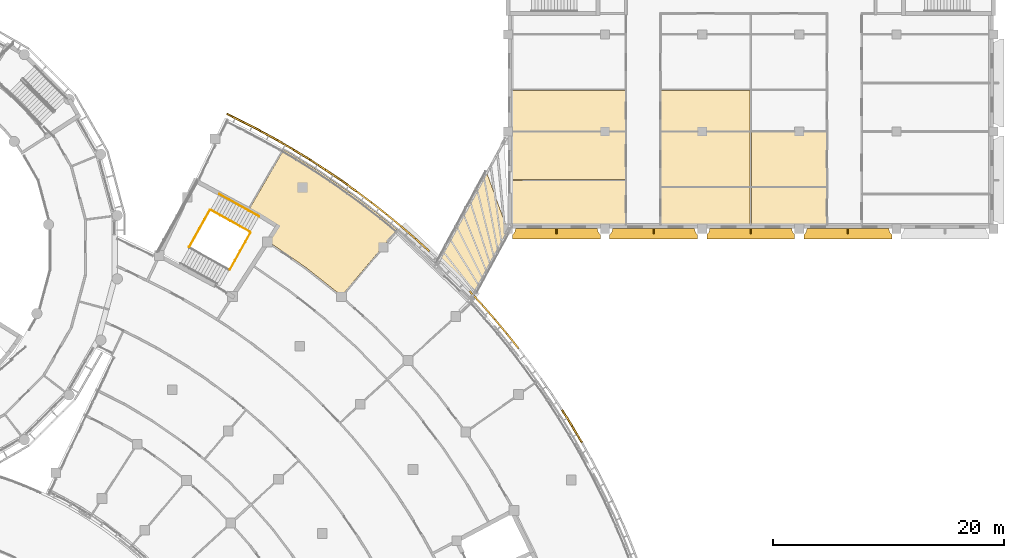
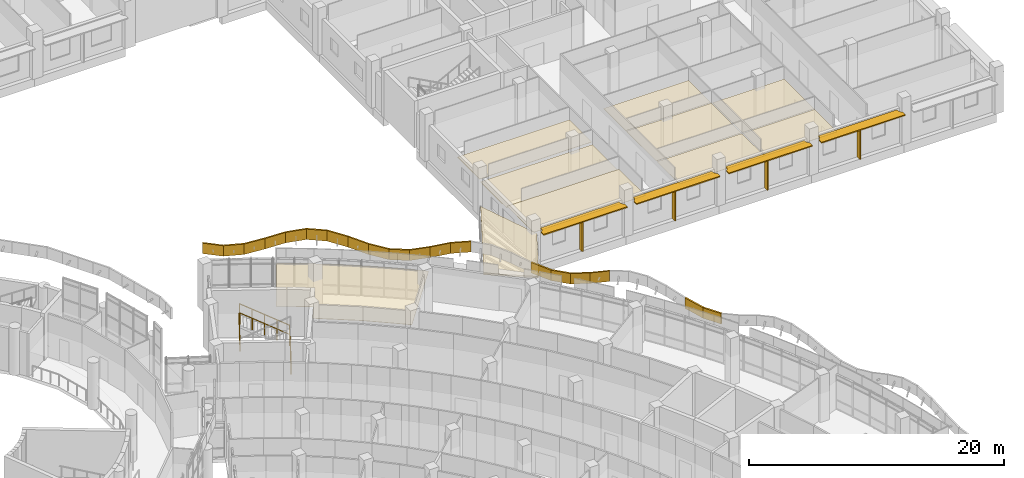
# One storey, part 127 of 136: 29 coverings, 8 shading devices, 4 railings.
"""IFC4 building model written with IfcOpenShell, lengths in metres."""

import ifcopenshell
import ifcopenshell.guid

model = None  # the IFC model being written
_history = None  # IfcOwnerHistory: only IFC2X3 demands one
_inside = {}  # id of a spatial element -> (the spatial element, [elements in it])
_under = {}  # id of a project, library or spatial element -> (it, [spatial elements below it])
_declared = {}  # id of a project -> (the project, [libraries it declares])
_typed = {}  # id of a type object -> (the type object, [elements of that type])
_made_of = {}  # id of a material, layer set ... -> (it, [elements and type objects made of it])


def new_model(schema):
    """Start an empty IFC model of exactly this schema.

    Asked for "IFC4X3", IfcOpenShell would pick the latest addendum, in which some entities
    have other attributes; the version numbers below select the first issue.
    IFC2X3 requires an IfcOwnerHistory on every rooted entity: one is made here for all.
    """
    global model, _history
    if schema == "IFC4X3":
        model = ifcopenshell.file(schema_version=(4, 3, 0, 0))
    else:
        model = ifcopenshell.file(schema=schema)
    _inside.clear()
    _under.clear()
    _declared.clear()
    _typed.clear()
    _made_of.clear()
    _history = None
    if model.schema == "IFC2X3":
        org = make("IfcOrganization", Name="unknown")
        user = make(
            "IfcPersonAndOrganization",
            ThePerson=make("IfcPerson", FamilyName="unknown"),
            TheOrganization=org,
        )
        app = make(
            "IfcApplication",
            ApplicationDeveloper=org,
            Version="unknown",
            ApplicationFullName="unknown",
            ApplicationIdentifier="unknown",
        )
        _history = make(
            "IfcOwnerHistory",
            OwningUser=user,
            OwningApplication=app,
            ChangeAction="ADDED",
            CreationDate=0,
        )
    return model


def make(cls, **values):
    """One entity of the class cls with the attributes given. An attribute that is None is left unset."""
    return model.create_entity(
        cls, **{name: value for name, value in values.items() if value is not None}
    )


def rooted(cls, **values):
    """An entity with a GlobalId (a new one), such as an element, a storey or a relation."""
    return make(cls, GlobalId=ifcopenshell.guid.new(), OwnerHistory=_history, **values)


def si_unit(unit_type, name, prefix=None):
    """IfcSIUnit, for example si_unit("LENGTHUNIT", "METRE", prefix="MILLI")."""
    return make("IfcSIUnit", UnitType=unit_type, Prefix=prefix, Name=name)


def assignment(units):
    """IfcUnitAssignment: the units of a project."""
    return None if units is None else make("IfcUnitAssignment", Units=units)


def point(xyz):
    """IfcCartesianPoint."""
    return None if xyz is None else make("IfcCartesianPoint", Coordinates=xyz)


def direction(xyz):
    """IfcDirection."""
    return None if xyz is None else make("IfcDirection", DirectionRatios=xyz)


def frame(location, z_axis=None, x_axis=None):
    """IfcAxis2Placement3D, a coordinate frame: its origin and axes. An axis left out is left unset."""
    return make(
        "IfcAxis2Placement3D",
        Location=point(location),
        Axis=direction(z_axis),
        RefDirection=direction(x_axis),
    )


def frame_2d(location, x_axis=None):
    """IfcAxis2Placement2D, a coordinate frame in the plane: its origin and x axis."""
    return make(
        "IfcAxis2Placement2D", Location=point(location), RefDirection=direction(x_axis)
    )


def origin():
    """The frame at (0, 0, 0) with its axes left unset."""
    return frame((0.0, 0.0, 0.0))


def origin_2d():
    """The frame at (0, 0) in the plane with its x axis left unset."""
    return frame_2d((0.0, 0.0))


def place(relative_to, where):
    """IfcLocalPlacement: puts the frame where relative to a parent placement (None: the world)."""
    return make(
        "IfcLocalPlacement", PlacementRelTo=relative_to, RelativePlacement=where
    )


def context(
    kind, dimensions, precision=None, world=None, true_north=None, identifier=None
):
    """IfcGeometricRepresentationContext, for example the 3D "Model" context."""
    return make(
        "IfcGeometricRepresentationContext",
        ContextIdentifier=identifier,
        ContextType=kind,
        CoordinateSpaceDimension=dimensions,
        Precision=precision,
        WorldCoordinateSystem=world,
        TrueNorth=true_north,
    )


def subcontext(parent, identifier, kind, view, scale=None):
    """IfcGeometricRepresentationSubContext, for example "Body" below "Model"."""
    return make(
        "IfcGeometricRepresentationSubContext",
        ContextIdentifier=identifier,
        ContextType=kind,
        ParentContext=parent,
        TargetScale=scale,
        TargetView=view,
    )


def project(units=None, contexts=None):
    """IfcProject with its units and contexts."""
    return rooted(
        "IfcProject",
        Name="project",
        RepresentationContexts=contexts,
        UnitsInContext=assignment(units),
    )


def spatial(cls, under=None, at=None, **own):
    """A site, building, storey or space (cls), placed at a placement, below another one or the project."""
    s = rooted(cls, ObjectPlacement=at, **own)
    if under is not None:
        _under.setdefault(under.id(), (under, []))[1].append(s)
    return s


def polyline(points):
    """IfcPolyline through the points."""
    return make("IfcPolyline", Points=[point(p) for p in points])


def profile(cls, at=None, kind="AREA", **sizes):
    """A parametric profile (cls). Its sizes go by their IFC names, for example OverallWidth=200.0."""
    return make(cls, ProfileType=kind, Position=at, **sizes)


def rectangle(**sizes):
    """IfcRectangleProfileDef."""
    return profile("IfcRectangleProfileDef", **sizes)


def circle(**sizes):
    """IfcCircleProfileDef."""
    return profile("IfcCircleProfileDef", **sizes)


def outline(outer, holes=None, kind="AREA"):
    """IfcArbitraryClosedProfileDef: a profile drawn as a closed curve; with holes, ...WithVoids."""
    if holes is None:
        return make("IfcArbitraryClosedProfileDef", ProfileType=kind, OuterCurve=outer)
    return make(
        "IfcArbitraryProfileDefWithVoids",
        ProfileType=kind,
        OuterCurve=outer,
        InnerCurves=holes,
    )


def extrude(swept, where, along, depth):
    """IfcExtrudedAreaSolid: the profile swept, set in the frame where, extruded along a direction by depth."""
    return make(
        "IfcExtrudedAreaSolid",
        SweptArea=swept,
        Position=where,
        ExtrudedDirection=direction(along),
        Depth=depth,
    )


def shape(context_of_items, identifier, shape_type, items):
    """IfcShapeRepresentation: the items that make up one representation, for example the "Body"."""
    return make(
        "IfcShapeRepresentation",
        ContextOfItems=context_of_items,
        RepresentationIdentifier=identifier,
        RepresentationType=shape_type,
        Items=items,
    )


def material(Name=None, Category=None):
    """IfcMaterial."""
    return make("IfcMaterial", Name=Name, Category=Category)


def layer(
    of_material, thickness, ventilated=None, Name=None, Category=None, Priority=None
):
    """IfcMaterialLayer: one layer of a wall or slab, of a material (None: an air gap)."""
    return make(
        "IfcMaterialLayer",
        Material=of_material,
        LayerThickness=thickness,
        IsVentilated=ventilated,
        Name=Name,
        Category=Category,
        Priority=Priority,
    )


def layer_set(layers, Name=None):
    """IfcMaterialLayerSet."""
    return make("IfcMaterialLayerSet", MaterialLayers=layers, LayerSetName=Name)


def material_profile(
    of_material, cross_section, Name=None, Category=None, Priority=None
):
    """IfcMaterialProfile: a cross section and its material."""
    return make(
        "IfcMaterialProfile",
        Name=Name,
        Material=of_material,
        Profile=cross_section,
        Priority=Priority,
        Category=Category,
    )


def profile_set(profiles, Name=None, composite=None):
    """IfcMaterialProfileSet."""
    return make(
        "IfcMaterialProfileSet",
        Name=Name,
        MaterialProfiles=profiles,
        CompositeProfile=composite,
    )


def made_of(thing, what):
    """Note that an element or type object is made of a material, layer set ...; save() writes the relation."""
    if what is not None:
        _made_of.setdefault(what.id(), (what, []))[1].append(thing)
    return thing


def type_object(cls, material=None, **own):
    """A type object (cls), such as IfcWallType, which elements share."""
    return made_of(rooted(cls, **own), material)


def element(
    cls,
    number,
    at=None,
    inside=None,
    cuts=None,
    type_object=None,
    material=None,
    context=None,
    identifier="Body",
    shape_type=None,
    held_by="IfcProductDefinitionShape",
    body=None,
    shapes=None,
    **own,
):
    """One element of the class cls, such as IfcWall. Its Tag is "e" and its number.

    at: its placement. inside: the storey or other place that contains it. cuts: it is an
    opening in that element (IfcRelVoidsElement). A single representation is given by context,
    identifier, shape_type and body (its items); several are given by shapes. held_by: the class
    of the entity that holds the representations. save() writes the other relations.
    """
    e = rooted(cls, Tag="e%d" % number, ObjectPlacement=at, **own)
    if body is not None:
        shapes = [shape(context, identifier, shape_type, body)]
    if shapes is not None:
        e.Representation = make(held_by, Representations=shapes)
    if inside is not None:
        _inside.setdefault(inside.id(), (inside, []))[1].append(e)
    if cuts is not None:
        rooted(
            "IfcRelVoidsElement", RelatingBuildingElement=cuts, RelatedOpeningElement=e
        )
    if type_object is not None:
        _typed.setdefault(type_object.id(), (type_object, []))[1].append(e)
    return made_of(e, material)


def aggregate(whole, parts):
    """IfcRelAggregates: a whole, such as a stair, and the parts it consists of."""
    return rooted("IfcRelAggregates", RelatingObject=whole, RelatedObjects=parts)


def save(model, path):
    """Write the relations noted so far, then the file.

    IfcRelAggregates (storeys below a building ...), IfcRelContainedInSpatialStructure (elements
    in a storey), IfcRelDefinesByType, IfcRelAssociatesMaterial and IfcRelDeclares: one each for
    every whole, place, type object, material and project.
    """
    for whole, parts in _under.values():
        aggregate(whole, parts)
    for where, things in _inside.values():
        rooted(
            "IfcRelContainedInSpatialStructure",
            RelatedElements=things,
            RelatingStructure=where,
        )
    for kind, things in _typed.values():
        rooted("IfcRelDefinesByType", RelatedObjects=things, RelatingType=kind)
    for what, things in _made_of.values():
        rooted("IfcRelAssociatesMaterial", RelatedObjects=things, RelatingMaterial=what)
    for by, libraries in _declared.values():
        rooted("IfcRelDeclares", RelatingContext=by, RelatedDefinitions=libraries)
    model.write(path)


model = new_model("IFC4")

# Units and contexts
model_context = context("Model", 3, precision=1e-05, world=origin(), true_north=direction((0.0, 1.0)))
body_context = subcontext(model_context, "Body", "Model", "MODEL_VIEW")
ifc_project = project(units=[si_unit("LENGTHUNIT", "METRE"), si_unit("AREAUNIT", "SQUARE_METRE"), si_unit("VOLUMEUNIT", "CUBIC_METRE"), si_unit("PLANEANGLEUNIT", "RADIAN"), si_unit("MASSUNIT", "GRAM", prefix="KILO")], contexts=[model_context])

# Site, building, storey
site_placement = place(None, origin())
site = spatial("IfcSite", under=ifc_project, at=site_placement, CompositionType="ELEMENT")
building_placement = place(site_placement, origin())
building = spatial("IfcBuilding", under=site, at=building_placement, Name="Bougainvillea Quay General Hospital", CompositionType="ELEMENT")
storey_placement = place(building_placement, frame((0.0, 0.0, 5.39990234375)))
storey = spatial("IfcBuildingStorey", under=building, at=storey_placement, Name="L01", CompositionType="ELEMENT", Elevation=5.39990234375)

# Coverings
ifc_material_1 = material(Name="Powder-coated aluminium fascia, yellow", Category="aluminium")
ifc_layer_1 = layer(ifc_material_1, 0.14990234375)
ifc_layer_set_1 = layer_set([ifc_layer_1], Name="Powder-coated aluminium fascia, yellow")
covering_type_1 = type_object("IfcCoveringType", Name="Aluminium wave fascia ribbon yellow 150x1000", PredefinedType="CLADDING", material=ifc_layer_set_1)
covering_1_placement = place(storey_placement, frame((170.123779296875, 57.07763671875, 3.260009765625), z_axis=(-0.000151975585, 0.000257507431, 0.999999955297), x_axis=(-0.508961194753, 0.860789412591, -0.000299009359)))
element("IfcCovering", 1, at=covering_1_placement, inside=storey, type_object=covering_type_1, Name="Fascia ribbon yellow a23 19", PredefinedType="CLADDING", context=body_context, shape_type="SweptSolid", body=[
    extrude(outline(polyline([(0.0, 0.0), (1.6314058404780067, 1.09211941591327e-16), (1.6328749432035081, -0.15005491172600183), (-0.0017123943208303405, -0.1501591482411095), (0.0, 0.0)])), origin(), (-0.000299009359, 2.42315e-07, 0.999999955297), 1.0),
])
covering_2_placement = place(storey_placement, frame((169.29345703125, 58.48193359375, 3.259765625), z_axis=(0.132980914674, -0.213916910508, 0.967758044002), x_axis=(-0.511725446805, 0.82139683151, 0.251881544138)))
element("IfcCovering", 2, at=covering_2_placement, inside=storey, type_object=covering_type_1, Name="Fascia ribbon yellow a23 20", PredefinedType="CLADDING", context=body_context, shape_type="SweptSolid", body=[
    extrude(outline(polyline([(0.0, 0.0), (1.6855687110136695, -1.1496608786493168e-16), (1.6873539485314895, -0.1500691591442192), (-0.002067176681550967, -0.15004865872445958), (0.0, 0.0)])), origin(), (0.251881544138, -0.000236624644, 0.967758044002), 1.0),
])
covering_3_placement = place(storey_placement, frame((164.666259765625, 65.193359375, 4.3388671875), z_axis=(-0.216139110066, 0.272385486665, 0.937598011812), x_axis=(-0.5846513216, 0.732989454891, -0.347720133397)))
element("IfcCovering", 3, at=covering_3_placement, inside=storey, type_object=covering_type_1, Name="Fascia ribbon yellow a23 25", PredefinedType="CLADDING", context=body_context, shape_type="SweptSolid", body=[
    extrude(outline(polyline([(0.0, 0.0), (1.739675737119207, -5.5294310796760726e-18), (1.7416000606718183, -0.1500708024444432), (-0.0019322037960413342, -0.1499618351801813), (0.0, 0.0)])), origin(), (-0.347720133397, 0.000822846295, 0.937598011812), 1.0),
])
covering_4_placement = place(storey_placement, frame((163.649169921875, 66.468505859375, 3.7333984375), z_axis=(-0.171388164586, 0.204840353872, 0.96367345427), x_axis=(-0.618232745883, 0.739225812231, -0.267083265013)))
element("IfcCovering", 4, at=covering_4_placement, inside=storey, type_object=covering_type_1, Name="Fascia ribbon yellow a23 26", PredefinedType="CLADDING", context=body_context, shape_type="SweptSolid", body=[
    extrude(outline(polyline([(0.0, 0.0), (1.692937866674427, -9.952975943416931e-17), (1.6947713137191023, -0.15010908492560268), (-0.0017710235870473912, -0.1500717104884349), (0.0, 0.0)])), origin(), (-0.267083265013, -5.5540731e-05, 0.96367345427), 1.0),
])
covering_5_placement = place(storey_placement, frame((162.6025390625, 67.719970703125, 3.281005859375), z_axis=(-0.015291085418, 0.018696249736, 0.999708273924), x_axis=(-0.658916314201, 0.751828837659, -0.024138967318)))
element("IfcCovering", 5, at=covering_5_placement, inside=storey, type_object=covering_type_1, Name="Fascia ribbon yellow a23 27", PredefinedType="CLADDING", context=body_context, shape_type="SweptSolid", body=[
    extrude(outline(polyline([(0.0, 0.0), (1.6317611647262957, 1.7462431240594656e-16), (1.6333457083062515, -0.15006662363037118), (-0.0017046835127499382, -0.15010978582599926), (0.0, 0.0)])), origin(), (-0.024138967318, 0.000822984989, 0.999708273924), 1.0),
])
covering_6_placement = place(storey_placement, frame((161.52734375, 68.94677734375, 3.24169921875), z_axis=(0.159394586792, -0.173780379823, 0.971799230958), x_axis=(-0.657307308396, 0.715779900547, 0.235809745988)))
element("IfcCovering", 6, at=covering_6_placement, inside=storey, type_object=covering_type_1, Name="Fascia ribbon yellow a23 28", PredefinedType="CLADDING", context=body_context, shape_type="SweptSolid", body=[
    extrude(outline(polyline([(0.0, 0.0), (1.6785175842829891, 6.763388677236137e-17), (1.6802523190766614, -0.15008094954440912), (-0.0019074213298497776, -0.15006276849571804), (0.0, 0.0)])), origin(), (0.235809745988, -0.000135672232, 0.971799230958), 1.0),
])
covering_7_placement = place(storey_placement, frame((156.950927734375, 73.5947265625, 4.76611328125), z_axis=(-0.168622660468, 0.152352052879, 0.973835330208), x_axis=(-0.722416786224, 0.653046124371, -0.227254805065)))
element("IfcCovering", 7, at=covering_7_placement, inside=storey, type_object=covering_type_1, Name="Fascia ribbon yellow a23 32", PredefinedType="CLADDING", context=body_context, shape_type="SweptSolid", body=[
    extrude(outline(polyline([(0.0, 0.0), (1.67519773772399, -5.5321415851072864e-17), (1.677025164714165, -0.1501252158691253), (-0.0017525652769673722, -0.1499513132876918), (0.0, 0.0)])), origin(), (-0.227254805065, -5.6694484e-05, 0.973835330208), 1.0),
])
covering_8_placement = place(storey_placement, frame((155.74072265625, 74.688720703125, 4.385009765625), z_axis=(-0.261606146509, 0.226646532726, 0.938186321213), x_axis=(-0.710268435002, 0.612954090519, -0.346130081266)))
element("IfcCovering", 8, at=covering_8_placement, inside=storey, type_object=covering_type_1, Name="Fascia ribbon yellow a23 33", PredefinedType="CLADDING", context=body_context, shape_type="SweptSolid", body=[
    extrude(outline(polyline([(0.0, 0.0), (1.7385969237478893, -2.802662615875029e-17), (1.7405159941890311, -0.1500349321044714), (-0.0017577337595446395, -0.15012606882379248), (0.0, 0.0)])), origin(), (-0.346130081266, 0.00062732049, 0.938186321213), 1.0),
])
covering_9_placement = place(storey_placement, frame((154.505859375, 75.75439453125, 3.78271484375), z_axis=(-0.216806200029, 0.178425334271, 0.959770530762), x_axis=(-0.740987823073, 0.609997147034, -0.280785552811)))
element("IfcCovering", 9, at=covering_9_placement, inside=storey, type_object=covering_type_1, Name="Fascia ribbon yellow a23 34", PredefinedType="CLADDING", context=body_context, shape_type="SweptSolid", body=[
    extrude(outline(polyline([(0.0, 0.0), (1.699792436141207, -1.4101404505889592e-17), (1.7016161404018555, -0.1500251977254522), (-0.0017807836759619834, -0.15003564540311576), (0.0, 0.0)])), origin(), (-0.280785552811, -4.0163455e-05, 0.959770530762), 1.0),
])
covering_10_placement = place(storey_placement, frame((153.246337890625, 76.791259765625, 3.30517578125), z_axis=(-0.037692469391, 0.029615511664, 0.998850438865), x_axis=(-0.785684072405, 0.616767977466, -0.047935376727)))
element("IfcCovering", 10, at=covering_10_placement, inside=storey, type_object=covering_type_1, Name="Fascia ribbon yellow a23 35", PredefinedType="CLADDING", context=body_context, shape_type="SweptSolid", body=[
    extrude(outline(polyline([(0.0, 0.0), (1.6332342323031108, -2.2175322559117583e-17), (1.6348260687158094, -0.14990361243325626), (-0.0017227799486738693, -0.15002557607740974), (0.0, 0.0)])), origin(), (-0.047935376727, 2.0927699e-05, 0.998850438865), 1.0),
])
covering_11_placement = place(storey_placement, frame((151.963134765625, 77.798583984375, 3.22705078125), z_axis=(0.174943372705, -0.130985068475, 0.975826689624), x_axis=(-0.781396860666, 0.584514057357, 0.218545791298)))
element("IfcCovering", 11, at=covering_11_placement, inside=storey, type_object=covering_type_1, Name="Fascia ribbon yellow a23 36", PredefinedType="CLADDING", context=body_context, shape_type="SweptSolid", body=[
    extrude(outline(polyline([(0.0, 0.0), (1.67154369284308, 1.555288016430456e-16), (1.673372403895482, -0.14990468895421766), (-0.0019582938327033987, -0.14990006994717217), (0.0, 0.0)])), origin(), (0.218545791298, -9.4460713e-05, 0.975826689624), 1.0),
])
covering_12_placement = place(storey_placement, frame((150.656982421875, 78.775634765625, 3.5927734375), z_axis=(0.28122867618, -0.199577387873, 0.938658243422), x_axis=(-0.764424758284, 0.544733409339, 0.344848229909)))
element("IfcCovering", 12, at=covering_12_placement, inside=storey, type_object=covering_type_1, Name="Fascia ribbon yellow a23 37", PredefinedType="CLADDING", context=body_context, shape_type="SweptSolid", body=[
    extrude(outline(polyline([(0.0, 0.0), (1.7380561768623728, -2.3201926491189795e-16), (1.7397461779876426, -0.14993754567441014), (-0.0018477871475299423, -0.14990546849038133), (0.0, 0.0)])), origin(), (0.344848229909, 0.000632759096, 0.938658243422), 1.0),
])
covering_13_placement = place(storey_placement, frame((149.328369140625, 79.722412109375, 4.192626953125), z_axis=(0.237533645061, -0.161317140839, 0.957890676192), x_axis=(-0.792797830904, 0.53761155433, 0.287133097997)))
element("IfcCovering", 13, at=covering_13_placement, inside=storey, type_object=covering_type_1, Name="Fascia ribbon yellow a23 38", PredefinedType="CLADDING", context=body_context, shape_type="SweptSolid", body=[
    extrude(outline(polyline([(0.0, 0.0), (1.7029645822565076, -8.069174668723367e-17), (1.7046913687155685, -0.14990690638884596), (-0.0019262894192280068, -0.14993469141472437), (0.0, 0.0)])), origin(), (0.287133097997, -0.000191047218, 0.957890676192), 1.0),
])
covering_14_placement = place(storey_placement, frame((147.978271484375, 80.637939453125, 4.681884765625), z_axis=(0.050284129146, -0.032450804275, 0.998207619515), x_axis=(-0.838898080382, 0.540988412796, 0.059846035379)))
element("IfcCovering", 14, at=covering_14_placement, inside=storey, type_object=covering_type_1, Name="Fascia ribbon yellow a23 39", PredefinedType="CLADDING", context=body_context, shape_type="SweptSolid", body=[
    extrude(outline(polyline([(0.0, 0.0), (1.6340991646081826, 1.8049255666452435e-16), (1.635821368808492, -0.14995877928234225), (-0.0018213447102664406, -0.1499051318280448), (0.0, 0.0)])), origin(), (0.059846035379, -1.9786197e-05, 0.998207619515), 1.0),
])
covering_15_placement = place(storey_placement, frame((146.607421875, 81.52197265625, 4.779541015625), z_axis=(-0.178616486233, 0.109419641376, 0.97781567431), x_axis=(-0.833943340754, 0.510550683663, -0.209467190325)))
element("IfcCovering", 15, at=covering_15_placement, inside=storey, type_object=covering_type_1, Name="Fascia ribbon yellow a23 40", PredefinedType="CLADDING", context=body_context, shape_type="SweptSolid", body=[
    extrude(outline(polyline([(0.0, 0.0), (1.66843541279416, 5.692061405548898e-19), (1.6701659000565987, -0.15009377183485434), (-0.0018121543242329424, -0.14995772693674936), (0.0, 0.0)])), origin(), (-0.209467190325, 5.7012113e-05, 0.97781567431), 1.0),
])
covering_16_placement = place(storey_placement, frame((145.216064453125, 82.373779296875, 4.429443359375), z_axis=(-0.296832947633, 0.172291560385, 0.939258121828), x_axis=(-0.812161563546, 0.471804438476, -0.343211547786)))
element("IfcCovering", 16, at=covering_16_placement, inside=storey, type_object=covering_type_1, Name="Fascia ribbon yellow a23 41", PredefinedType="CLADDING", context=body_context, shape_type="SweptSolid", body=[
    extrude(outline(polyline([(0.0, 0.0), (1.7365753018245809, -5.654114329511906e-17), (1.738570471999721, -0.14997690608146724), (-0.0018915487413977109, -0.15009345688312226), (0.0, 0.0)])), origin(), (-0.343211547786, -0.000118519111, 0.939258121828), 1.0),
])
covering_17_placement = place(storey_placement, frame((143.8056640625, 83.193115234375, 3.832763671875), z_axis=(-0.256850514406, 0.141315524654, 0.956063667201), x_axis=(-0.837579199119, 0.460997638744, -0.293159107441)))
element("IfcCovering", 17, at=covering_17_placement, inside=storey, type_object=covering_type_1, Name="Fascia ribbon yellow a23 42", PredefinedType="CLADDING", context=body_context, shape_type="SweptSolid", body=[
    extrude(outline(polyline([(0.0, 0.0), (1.7063491295953366, -1.8090590874278445e-16), (1.7080796161750742, -0.14985039649915474), (-0.001684936430920582, -0.1499797343436596), (0.0, 0.0)])), origin(), (-0.293159107441, -4.4536688e-05, 0.956063667201), 1.0),
])
covering_18_placement = place(storey_placement, frame((142.37646484375, 83.979736328125, 3.332275390625), z_axis=(-0.063498658071, 0.033030953327, 0.997435149043), x_axis=(-0.884821425063, 0.460399741924, -0.071575997277)))
element("IfcCovering", 18, at=covering_18_placement, inside=storey, type_object=covering_type_1, Name="Fascia ribbon yellow a23 43", PredefinedType="CLADDING", context=body_context, shape_type="SweptSolid", body=[
    extrude(outline(polyline([(0.0, 0.0), (1.6353920578939534, 2.913793338554793e-17), (1.6372631329853176, -0.15011590759015234), (-0.001836414279048279, -0.1498482817732869), (0.0, 0.0)])), origin(), (-0.071575997277, -8.270595e-06, 0.997435149043), 1.0),
])
covering_19_placement = place(storey_placement, frame((140.929443359375, 84.732666015625, 3.21533203125), z_axis=(0.179636675727, -0.087710243775, 0.979815073302), x_axis=(-0.879350626539, 0.432180877655, 0.19990538911)))
element("IfcCovering", 19, at=covering_19_placement, inside=storey, type_object=covering_type_1, Name="Fascia ribbon yellow a23 44", PredefinedType="CLADDING", context=body_context, shape_type="SweptSolid", body=[
    extrude(outline(polyline([(0.0, 0.0), (1.661364609272699, -8.109832250191573e-17), (1.6613225301213457, -0.1499114580986823), (-0.0016388262931409702, -0.15011945097289547), (0.0, 0.0)])), origin(), (0.19990538911, 0.000507478358, 0.979815073302), 1.0),
])
ifc_material_2 = material(Name="Insulated aluminium roof panel, grey", Category="aluminium")
ifc_layer_2 = layer(ifc_material_2, 0.14990234375)
ifc_layer_set_2 = layer_set([ifc_layer_2], Name="Insulated aluminium roof panel, grey")
covering_type_2 = type_object("IfcCoveringType", Name="Bridge roof insulated metal panel 150", PredefinedType="ROOFING", material=ifc_layer_set_2)
covering_20_placement = place(storey_placement, frame((0.0, 0.0, 3.0)))
element("IfcCovering", 20, at=covering_20_placement, inside=storey, type_object=covering_type_2, Name="Bridge roof B3", PredefinedType="ROOFING", context=body_context, shape_type="SweptSolid", body=[
    extrude(outline(polyline([(157.527587890625, 72.571533203125), (161.901611328125, 80.63037109375), (163.86962890625, 75.199951171875), (161.051513671875, 70.007568359375), (157.527587890625, 72.571533203125)])), origin(), (0.0, 0.0, 1.0), 0.150146484375),
])

# Railings
ifc_material_3 = material(Name="Stainless steel 304 balustrade", Category="steel")
railing_type_1 = type_object("IfcRailingType", Name="Stair guard 1100", PredefinedType="GUARDRAIL", material=ifc_material_3)
railing_1_placement = place(storey_placement, frame((141.514404296875, 75.31591796875, 0.150146484375)))
element("IfcRailing", 21, at=railing_1_placement, inside=storey, type_object=railing_type_1, Name="L01 ST-E1 stair guard 1", PredefinedType="GUARDRAIL", context=body_context, shape_type="SweptSolid", body=[
    extrude(circle(Radius=0.02392578125, at=origin_2d()), frame((0.0, 0.0, 1.076171875), z_axis=(-0.769815379663, 0.429432028222, 0.472199549314), x_axis=(-0.487165150775, -0.87330986246, 0.0)), (0.0, 0.0, 1.0), 4.447021484375),
    extrude(circle(Radius=0.02099609375, at=origin_2d()), origin(), (0.0, 0.0, 1.0), 1.052001953125),
    extrude(circle(Radius=0.02099609375, at=origin_2d()), frame((-0.85595703125, 0.4775390625, 0.52490234375)), (0.0, 0.0, 1.0), 1.052001953125),
    extrude(circle(Radius=0.02099609375, at=origin_2d()), frame((-1.711669921875, 0.954833984375, 1.0498046875)), (0.0, 0.0, 1.0), 1.052001953125),
    extrude(circle(Radius=0.02099609375, at=origin_2d()), frame((-2.5673828125, 1.43212890625, 1.574951171875)), (0.0, 0.0, 1.0), 1.052001953125),
    extrude(circle(Radius=0.02099609375, at=origin_2d()), frame((-3.42333984375, 1.90966796875, 2.099853515625)), (0.0, 0.0, 1.0), 1.052001953125),
])
for number, where, name in (
    (22, (138.02294921875, 77.206298828125, 2.25), "L01 ST-E1 stair guard 2"),
    (23, (141.53369140625, 75.247802734375, 0.0), "L01 ST-E1 stair guard 5"),
):
    element("IfcRailing", number, at=place(storey_placement, frame(where)), inside=storey, type_object=railing_type_1, Name=name, PredefinedType="GUARDRAIL", context=body_context, shape_type="SweptSolid", body=[
        extrude(circle(Radius=0.02392578125, at=origin_2d()), frame((0.0, 0.0, 1.076171875), z_axis=(-0.487183857125, -0.873299427091, 0.0), x_axis=(0.873299427091, -0.487183857125, 0.0)), (0.0, 0.0, 1.0), 3.6572265625),
        extrude(circle(Radius=0.02099609375, at=origin_2d()), origin(), (0.0, 0.0, 1.0), 1.052001953125),
        extrude(circle(Radius=0.02099609375, at=origin_2d()), frame((-0.4453125, -0.79833984375, 0.0)), (0.0, 0.0, 1.0), 1.052001953125),
        extrude(circle(Radius=0.02099609375, at=origin_2d()), frame((-0.890869140625, -1.596923828125, 0.0)), (0.0, 0.0, 1.0), 1.052001953125),
        extrude(circle(Radius=0.02099609375, at=origin_2d()), frame((-1.33642578125, -2.3955078125, 0.0)), (0.0, 0.0, 1.0), 1.052001953125),
        extrude(circle(Radius=0.02099609375, at=origin_2d()), frame((-1.78173828125, -3.19384765625, 0.0)), (0.0, 0.0, 1.0), 1.052001953125),
    ])
ifc_material_4 = material(Name="Stainless steel 304 handrail", Category="steel")
railing_type_2 = type_object("IfcRailingType", Name="Stair handrail 900", PredefinedType="HANDRAIL", material=ifc_material_4)
railing_2_placement = place(storey_placement, frame((142.26953125, 76.66943359375, 0.150146484375)))
element("IfcRailing", 24, at=railing_2_placement, inside=storey, type_object=railing_type_2, Name="L01 ST-E1 stair handrail 1", PredefinedType="HANDRAIL", context=body_context, shape_type="SweptSolid", body=[
    extrude(circle(Radius=0.02392578125, at=origin_2d()), frame((0.0, 0.0, 0.8759765625), z_axis=(-0.769815379663, 0.429432028222, 0.472199549314), x_axis=(-0.487165150775, -0.87330986246, 0.0)), (0.0, 0.0, 1.0), 4.447021484375),
    extrude(circle(Radius=0.02099609375, at=origin_2d()), origin(), (0.0, 0.0, 1.0), 0.851806640625),
    extrude(circle(Radius=0.02099609375, at=origin_2d()), frame((-0.85595703125, 0.4775390625, 0.52490234375)), (0.0, 0.0, 1.0), 0.851806640625),
    extrude(circle(Radius=0.02099609375, at=origin_2d()), frame((-1.711669921875, 0.954833984375, 1.0498046875)), (0.0, 0.0, 1.0), 0.851806640625),
    extrude(circle(Radius=0.02099609375, at=origin_2d()), frame((-2.5673828125, 1.43212890625, 1.574951171875)), (0.0, 0.0, 1.0), 0.851806640625),
    extrude(circle(Radius=0.02099609375, at=origin_2d()), frame((-3.42333984375, 1.90966796875, 2.099853515625)), (0.0, 0.0, 1.0), 0.851806640625),
])

# Shading devices
ifc_material_5 = material(Name="Powder-coated aluminium canopy soffit and fascia, white", Category="aluminium")
ifc_layer_3 = layer(ifc_material_5, 0.10009765625)
ifc_layer_set_3 = layer_set([ifc_layer_3], Name="Powder-coated aluminium canopy soffit and fascia, white")
shading_device_type_1 = type_object("IfcShadingDeviceType", Name="Sunshade 100", PredefinedType="USERDEFINED", material=ifc_layer_set_3)
shading_device_1_placement = place(storey_placement, frame((0.0, 0.0, 3.150146484375)))
element("IfcShadingDevice", 25, at=shading_device_1_placement, inside=storey, type_object=shading_device_type_1, Name="Sunshade 0", ObjectType="Sunshade", PredefinedType="USERDEFINED", context=body_context, shape_type="SweptSolid", body=[
    extrude(outline(polyline([(171.550048828125, 75.60009765625), (164.449951171875, 75.60009765625), (164.4375, 75.47314453125), (164.400634765625, 75.351318359375), (164.373291015625, 75.293701171875), (164.302490234375, 75.187744140625), (164.199951171875, 75.08837890625), (164.199951171875, 74.699951171875), (171.800048828125, 74.699951171875), (171.800048828125, 75.08837890625), (171.697509765625, 75.187744140625), (171.626708984375, 75.293701171875), (171.599365234375, 75.351318359375), (171.5625, 75.47314453125), (171.550048828125, 75.60009765625)])), origin(), (0.0, 0.0, 1.0), 0.099853515625),
])
shading_device_2_placement = place(storey_placement, frame((0.0, 0.0, 3.150146484375)))
element("IfcShadingDevice", 26, at=shading_device_2_placement, inside=storey, type_object=shading_device_type_1, Name="Sunshade 0", ObjectType="Sunshade", PredefinedType="USERDEFINED", context=body_context, shape_type="SweptSolid", body=[
    extrude(outline(polyline([(179.949951171875, 75.60009765625), (172.85009765625, 75.60009765625), (172.83740234375, 75.47314453125), (172.800537109375, 75.351318359375), (172.773193359375, 75.293701171875), (172.702392578125, 75.187744140625), (172.60009765625, 75.08837890625), (172.60009765625, 74.699951171875), (180.199951171875, 74.699951171875), (180.199951171875, 75.08837890625), (180.09765625, 75.187744140625), (180.02685546875, 75.293701171875), (179.99951171875, 75.351318359375), (179.96240234375, 75.47314453125), (179.949951171875, 75.60009765625)])), origin(), (0.0, 0.0, 1.0), 0.099853515625),
])
shading_device_3_placement = place(storey_placement, frame((0.0, 0.0, 3.150146484375)))
element("IfcShadingDevice", 27, at=shading_device_3_placement, inside=storey, type_object=shading_device_type_1, Name="Sunshade 0", ObjectType="Sunshade", PredefinedType="USERDEFINED", context=body_context, shape_type="SweptSolid", body=[
    extrude(outline(polyline([(188.35009765625, 75.60009765625), (181.25, 75.60009765625), (181.237548828125, 75.47314453125), (181.200439453125, 75.351318359375), (181.17333984375, 75.293701171875), (181.1025390625, 75.187744140625), (181.0, 75.08837890625), (181.0, 74.699951171875), (188.60009765625, 74.699951171875), (188.60009765625, 75.08837890625), (188.49755859375, 75.187744140625), (188.4267578125, 75.293701171875), (188.3994140625, 75.351318359375), (188.362548828125, 75.47314453125), (188.35009765625, 75.60009765625)])), origin(), (0.0, 0.0, 1.0), 0.099853515625),
])
shading_device_4_placement = place(storey_placement, frame((0.0, 0.0, 3.150146484375)))
element("IfcShadingDevice", 28, at=shading_device_4_placement, inside=storey, type_object=shading_device_type_1, Name="Sunshade 0", ObjectType="Sunshade", PredefinedType="USERDEFINED", context=body_context, shape_type="SweptSolid", body=[
    extrude(outline(polyline([(196.75, 75.60009765625), (189.64990234375, 75.60009765625), (189.637451171875, 75.47314453125), (189.6005859375, 75.351318359375), (189.5732421875, 75.293701171875), (189.50244140625, 75.187744140625), (189.39990234375, 75.08837890625), (189.39990234375, 74.699951171875), (197.0, 74.699951171875), (197.0, 75.08837890625), (196.8974609375, 75.187744140625), (196.82666015625, 75.293701171875), (196.799560546875, 75.351318359375), (196.762451171875, 75.47314453125), (196.75, 75.60009765625)])), origin(), (0.0, 0.0, 1.0), 0.099853515625),
])

# Coverings
ifc_material_6 = material(Name="Mineral fibre ceiling tile")
ifc_layer_4 = layer(ifc_material_6, 0.030029296875)
ifc_layer_set_4 = layer_set([ifc_layer_4], Name="Mineral fibre ceiling tile")
covering_type_3 = type_object("IfcCoveringType", Name="Suspended ceiling mineral fibre tile", PredefinedType="CEILING", material=ifc_layer_set_4)
covering_21_placement = place(storey_placement, frame((0.0, 0.0, 3.0)))
element("IfcCovering", 29, at=covering_21_placement, inside=storey, type_object=covering_type_3, Name="Ceiling Operating Theatre 03", PredefinedType="CEILING", context=body_context, shape_type="SweptSolid", body=[
    extrude(outline(polyline([(163.800048828125, 84.050048828125), (173.949951171875, 84.050048828125), (173.949951171875, 87.550048828125), (163.800048828125, 87.550048828125), (163.800048828125, 84.050048828125)])), origin(), (0.0, 0.0, 1.0), 0.030029296875),
])
covering_22_placement = place(storey_placement, frame((0.0, 0.0, 2.800048828125)))
element("IfcCovering", 30, at=covering_22_placement, inside=storey, type_object=covering_type_3, Name="Ceiling Scrub-up Room 01", PredefinedType="CEILING", context=body_context, shape_type="SweptSolid", body=[
    extrude(outline(polyline([(163.800048828125, 79.85009765625), (173.949951171875, 79.85009765625), (173.949951171875, 83.949951171875), (163.800048828125, 83.949951171875), (163.800048828125, 79.85009765625)])), origin(), (0.0, 0.0, 1.0), 0.030029296875),
])
covering_23_placement = place(storey_placement, frame((0.0, 0.0, 3.0)))
element("IfcCovering", 31, at=covering_23_placement, inside=storey, type_object=covering_type_3, Name="Ceiling Operating Theatre 04", PredefinedType="CEILING", context=body_context, shape_type="SweptSolid", body=[
    extrude(outline(polyline([(173.949951171875, 75.60009765625), (173.949951171875, 79.75), (163.800048828125, 79.75), (163.800048828125, 75.60009765625), (173.949951171875, 75.60009765625)])), origin(), (0.0, 0.0, 1.0), 0.030029296875),
])
covering_24_placement = place(storey_placement, frame((0.0, 0.0, 3.0)))
element("IfcCovering", 32, at=covering_24_placement, inside=storey, type_object=covering_type_3, Name="Ceiling Operating Theatre 07", PredefinedType="CEILING", context=body_context, shape_type="SweptSolid", body=[
    extrude(outline(polyline([(184.75, 84.050048828125), (184.75, 87.550048828125), (177.050048828125, 87.550048828125), (177.050048828125, 84.050048828125), (184.75, 84.050048828125)])), origin(), (0.0, 0.0, 1.0), 0.030029296875),
])
covering_25_placement = place(storey_placement, frame((0.0, 0.0, 3.0)))
element("IfcCovering", 33, at=covering_25_placement, inside=storey, type_object=covering_type_3, Name="Ceiling Operating Theatre 08", PredefinedType="CEILING", context=body_context, shape_type="SweptSolid", body=[
    extrude(outline(polyline([(184.75, 79.25), (184.75, 83.949951171875), (177.050048828125, 83.949951171875), (177.050048828125, 79.25), (184.75, 79.25)])), origin(), (0.0, 0.0, 1.0), 0.030029296875),
])
covering_26_placement = place(storey_placement, frame((0.0, 0.0, 3.0)))
element("IfcCovering", 34, at=covering_26_placement, inside=storey, type_object=covering_type_3, Name="Ceiling Operating Theatre 09", PredefinedType="CEILING", context=body_context, shape_type="SweptSolid", body=[
    extrude(outline(polyline([(184.75, 75.60009765625), (184.75, 79.14990234375), (177.050048828125, 79.14990234375), (177.050048828125, 75.60009765625), (184.75, 75.60009765625)])), origin(), (0.0, 0.0, 1.0), 0.030029296875),
])
covering_27_placement = place(storey_placement, frame((0.0, 0.0, 3.0)))
element("IfcCovering", 35, at=covering_27_placement, inside=storey, type_object=covering_type_3, Name="Ceiling Operating Theatre 13", PredefinedType="CEILING", context=body_context, shape_type="SweptSolid", body=[
    extrude(outline(polyline([(191.35009765625, 83.949951171875), (184.85009765625, 83.949951171875), (184.85009765625, 79.25), (191.35009765625, 79.25), (191.35009765625, 83.949951171875)])), origin(), (0.0, 0.0, 1.0), 0.030029296875),
])
covering_28_placement = place(storey_placement, frame((0.0, 0.0, 3.0)))
element("IfcCovering", 36, at=covering_28_placement, inside=storey, type_object=covering_type_3, Name="Ceiling Hybrid Operating Theatre", PredefinedType="CEILING", context=body_context, shape_type="SweptSolid", body=[
    extrude(outline(polyline([(191.35009765625, 75.60009765625), (191.35009765625, 79.14990234375), (184.85009765625, 79.14990234375), (184.85009765625, 75.60009765625), (191.35009765625, 75.60009765625)])), origin(), (0.0, 0.0, 1.0), 0.030029296875),
])
covering_29_placement = place(storey_placement, frame((0.0, 0.0, 2.7001953125)))
element("IfcCovering", 37, at=covering_29_placement, inside=storey, type_object=covering_type_3, Name="Ceiling Quay Terrace Waiting Hall Consulting Room 01E111", PredefinedType="CEILING", context=body_context, shape_type="SweptSolid", body=[
    extrude(outline(polyline([(142.130859375, 76.936767578125), (142.21533203125, 76.88623046875), (142.214599609375, 76.884765625), (143.949951171875, 75.804931640625), (143.89697265625, 75.72021484375), (143.095947265625, 74.478515625), (146.273681640625, 72.28271484375), (146.276611328125, 72.286376953125), (146.33349609375, 72.241455078125), (146.393310546875, 72.199951171875), (146.390625, 72.1962890625), (149.404296875, 69.81640625), (149.4072265625, 69.81982421875), (149.424072265625, 69.804931640625), (154.236083984375, 75.514404296875), (152.365966796875, 77.038818359375), (150.614501953125, 78.36865234375), (148.82275390625, 79.642822265625), (146.991943359375, 80.85986328125), (145.124267578125, 82.01904296875), (144.422119140625, 82.4248046875), (141.455322265625, 77.326171875), (142.130126953125, 76.935546875), (142.130859375, 76.936767578125)])), origin(), (0.0, 0.0, 1.0), 0.02978515625),
])

# Shading devices
ifc_material_7 = material(Name="Powder-coated aluminium fin, white", Category="aluminium")
ifc_material_profile = material_profile(ifc_material_7, rectangle(XDim=0.449951171875, YDim=0.10009765625, at=origin_2d()))
ifc_profile_set = profile_set([ifc_material_profile], Name="Powder-coated aluminium fin, white")
shading_device_type_2 = type_object("IfcShadingDeviceType", Name="Vertical fin 450x100", PredefinedType="USERDEFINED", material=ifc_profile_set)
for number, where, z_axis, x_axis, name in (
    (38, (168.0, 75.375, 0.0), (0.0, 0.0, 1.0), (0.0, -1.0, 0.0), "Vertical fin 01a 1"),
    (39, (176.39990234375, 75.375, 0.0), (0.0, 0.0, 1.0), (0.0, -1.0, 0.0), "Vertical fin 01b 1"),
    (40, (184.800048828125, 75.375, 0.0), (0.0, 0.0, 1.0), (0.0, -1.0, 0.0), "Vertical fin 01c 1"),
    (41, (193.199951171875, 75.375, 0.0), (0.0, 0.0, 1.0), (0.0, -1.0, 0.0), "Vertical fin 01d 1"),
):
    element("IfcShadingDevice", number, at=place(storey_placement, frame(where, z_axis=z_axis, x_axis=x_axis)), inside=storey, type_object=shading_device_type_2, Name=name, ObjectType="Vertical fin", PredefinedType="USERDEFINED", context=body_context, shape_type="SweptSolid", body=[
        extrude(rectangle(XDim=0.449951171875, YDim=0.10009765625, at=origin_2d()), origin(), (0.0, 0.0, 1.0), 3.150146484375),
    ])

save(model, "model.ifc")
